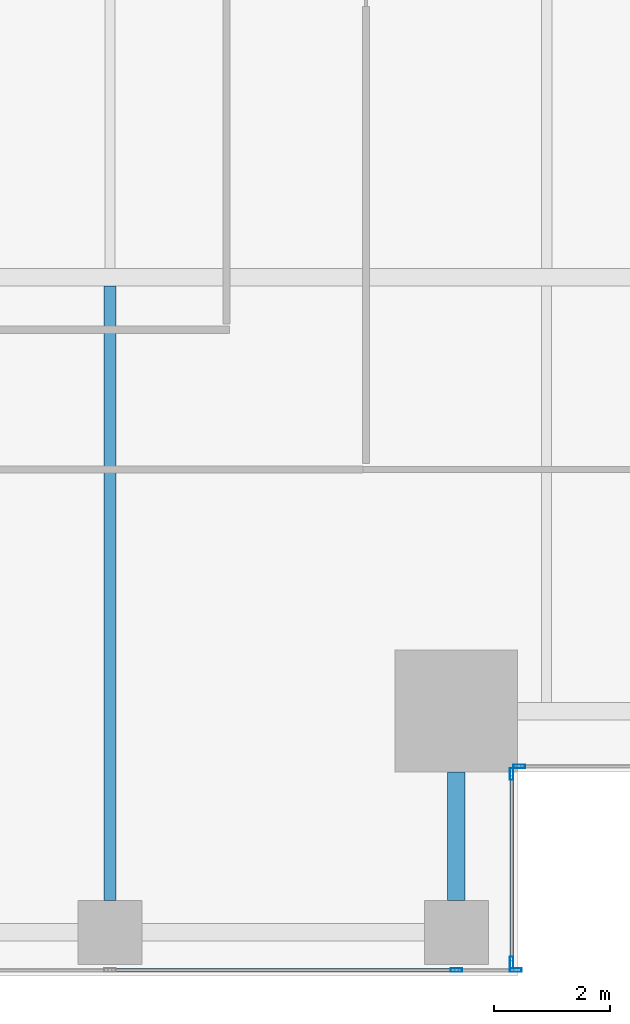
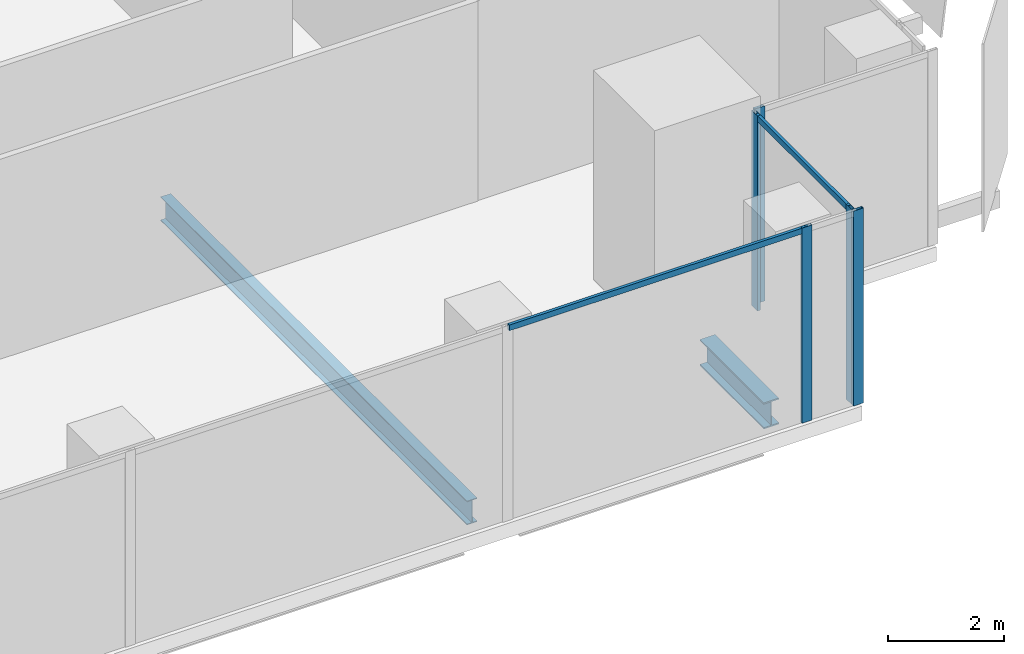
# One storey, part 10 of 33: 7 members, 2 beams, 3 elements without a shape of their own.
"""IFC4 building model written with IfcOpenShell, lengths in metres."""

import ifcopenshell
import ifcopenshell.guid

model = None  # the IFC model being written
_history = None  # IfcOwnerHistory: only IFC2X3 demands one
_inside = {}  # id of a spatial element -> (the spatial element, [elements in it])
_under = {}  # id of a project, library or spatial element -> (it, [spatial elements below it])
_declared = {}  # id of a project -> (the project, [libraries it declares])
_typed = {}  # id of a type object -> (the type object, [elements of that type])
_made_of = {}  # id of a material, layer set ... -> (it, [elements and type objects made of it])


def new_model(schema):
    """Start an empty IFC model of exactly this schema.

    Asked for "IFC4X3", IfcOpenShell would pick the latest addendum, in which some entities
    have other attributes; the version numbers below select the first issue.
    IFC2X3 requires an IfcOwnerHistory on every rooted entity: one is made here for all.
    """
    global model, _history
    if schema == "IFC4X3":
        model = ifcopenshell.file(schema_version=(4, 3, 0, 0))
    else:
        model = ifcopenshell.file(schema=schema)
    _inside.clear()
    _under.clear()
    _declared.clear()
    _typed.clear()
    _made_of.clear()
    _history = None
    if model.schema == "IFC2X3":
        org = make("IfcOrganization", Name="unknown")
        user = make(
            "IfcPersonAndOrganization",
            ThePerson=make("IfcPerson", FamilyName="unknown"),
            TheOrganization=org,
        )
        app = make(
            "IfcApplication",
            ApplicationDeveloper=org,
            Version="unknown",
            ApplicationFullName="unknown",
            ApplicationIdentifier="unknown",
        )
        _history = make(
            "IfcOwnerHistory",
            OwningUser=user,
            OwningApplication=app,
            ChangeAction="ADDED",
            CreationDate=0,
        )
    return model


def make(cls, **values):
    """One entity of the class cls with the attributes given. An attribute that is None is left unset."""
    return model.create_entity(
        cls, **{name: value for name, value in values.items() if value is not None}
    )


def rooted(cls, **values):
    """An entity with a GlobalId (a new one), such as an element, a storey or a relation."""
    return make(cls, GlobalId=ifcopenshell.guid.new(), OwnerHistory=_history, **values)


def si_unit(unit_type, name, prefix=None):
    """IfcSIUnit, for example si_unit("LENGTHUNIT", "METRE", prefix="MILLI")."""
    return make("IfcSIUnit", UnitType=unit_type, Prefix=prefix, Name=name)


def assignment(units):
    """IfcUnitAssignment: the units of a project."""
    return None if units is None else make("IfcUnitAssignment", Units=units)


def point(xyz):
    """IfcCartesianPoint."""
    return None if xyz is None else make("IfcCartesianPoint", Coordinates=xyz)


def direction(xyz):
    """IfcDirection."""
    return None if xyz is None else make("IfcDirection", DirectionRatios=xyz)


def frame(location, z_axis=None, x_axis=None):
    """IfcAxis2Placement3D, a coordinate frame: its origin and axes. An axis left out is left unset."""
    return make(
        "IfcAxis2Placement3D",
        Location=point(location),
        Axis=direction(z_axis),
        RefDirection=direction(x_axis),
    )


def frame_2d(location, x_axis=None):
    """IfcAxis2Placement2D, a coordinate frame in the plane: its origin and x axis."""
    return make(
        "IfcAxis2Placement2D", Location=point(location), RefDirection=direction(x_axis)
    )


def origin():
    """The frame at (0, 0, 0) with its axes left unset."""
    return frame((0.0, 0.0, 0.0))


def origin_2d():
    """The frame at (0, 0) in the plane with its x axis left unset."""
    return frame_2d((0.0, 0.0))


def place(relative_to, where):
    """IfcLocalPlacement: puts the frame where relative to a parent placement (None: the world)."""
    return make(
        "IfcLocalPlacement", PlacementRelTo=relative_to, RelativePlacement=where
    )


def context(
    kind, dimensions, precision=None, world=None, true_north=None, identifier=None
):
    """IfcGeometricRepresentationContext, for example the 3D "Model" context."""
    return make(
        "IfcGeometricRepresentationContext",
        ContextIdentifier=identifier,
        ContextType=kind,
        CoordinateSpaceDimension=dimensions,
        Precision=precision,
        WorldCoordinateSystem=world,
        TrueNorth=true_north,
    )


def subcontext(parent, identifier, kind, view, scale=None):
    """IfcGeometricRepresentationSubContext, for example "Body" below "Model"."""
    return make(
        "IfcGeometricRepresentationSubContext",
        ContextIdentifier=identifier,
        ContextType=kind,
        ParentContext=parent,
        TargetScale=scale,
        TargetView=view,
    )


def project(units=None, contexts=None):
    """IfcProject with its units and contexts."""
    return rooted(
        "IfcProject",
        Name="project",
        RepresentationContexts=contexts,
        UnitsInContext=assignment(units),
    )


def spatial(cls, under=None, at=None, **own):
    """A site, building, storey or space (cls), placed at a placement, below another one or the project."""
    s = rooted(cls, ObjectPlacement=at, **own)
    if under is not None:
        _under.setdefault(under.id(), (under, []))[1].append(s)
    return s


def profile(cls, at=None, kind="AREA", **sizes):
    """A parametric profile (cls). Its sizes go by their IFC names, for example OverallWidth=200.0."""
    return make(cls, ProfileType=kind, Position=at, **sizes)


def hollow_rectangle(**sizes):
    """IfcRectangleHollowProfileDef."""
    return profile("IfcRectangleHollowProfileDef", **sizes)


def i_section(**sizes):
    """IfcIShapeProfileDef."""
    return profile("IfcIShapeProfileDef", **sizes)


def extrude(swept, where, along, depth):
    """IfcExtrudedAreaSolid: the profile swept, set in the frame where, extruded along a direction by depth."""
    return make(
        "IfcExtrudedAreaSolid",
        SweptArea=swept,
        Position=where,
        ExtrudedDirection=direction(along),
        Depth=depth,
    )


def shape(context_of_items, identifier, shape_type, items):
    """IfcShapeRepresentation: the items that make up one representation, for example the "Body"."""
    return make(
        "IfcShapeRepresentation",
        ContextOfItems=context_of_items,
        RepresentationIdentifier=identifier,
        RepresentationType=shape_type,
        Items=items,
    )


def source(mapping_origin, context_of_items, identifier, shape_type, items):
    """IfcRepresentationMap: a shape defined once, which mapped items show again and again."""
    return make(
        "IfcRepresentationMap",
        MappingOrigin=mapping_origin,
        MappedRepresentation=shape(context_of_items, identifier, shape_type, items),
    )


def transform(
    local_origin,
    x_axis=None,
    y_axis=None,
    z_axis=None,
    scale=None,
    scale2=None,
    scale3=None,
    uniform=True,
):
    """IfcCartesianTransformationOperator3D, or its non-uniform kind. x_axis, y_axis, z_axis: its Axis1, 2, 3."""
    if uniform:
        return make(
            "IfcCartesianTransformationOperator3D",
            Axis1=direction(x_axis),
            Axis2=direction(y_axis),
            LocalOrigin=point(local_origin),
            Scale=scale,
            Axis3=direction(z_axis),
        )
    return make(
        "IfcCartesianTransformationOperator3DnonUniform",
        Axis1=direction(x_axis),
        Axis2=direction(y_axis),
        LocalOrigin=point(local_origin),
        Scale=scale,
        Axis3=direction(z_axis),
        Scale2=scale2,
        Scale3=scale3,
    )


def mapped(mapping_source, mapping_target):
    """IfcMappedItem: shows the shape of a source again, moved by a transform."""
    return make(
        "IfcMappedItem", MappingSource=mapping_source, MappingTarget=mapping_target
    )


def material(Name=None, Category=None):
    """IfcMaterial."""
    return make("IfcMaterial", Name=Name, Category=Category)


def material_profile(
    of_material, cross_section, Name=None, Category=None, Priority=None
):
    """IfcMaterialProfile: a cross section and its material."""
    return make(
        "IfcMaterialProfile",
        Name=Name,
        Material=of_material,
        Profile=cross_section,
        Priority=Priority,
        Category=Category,
    )


def profile_set(profiles, Name=None, composite=None):
    """IfcMaterialProfileSet."""
    return make(
        "IfcMaterialProfileSet",
        Name=Name,
        MaterialProfiles=profiles,
        CompositeProfile=composite,
    )


def made_of(thing, what):
    """Note that an element or type object is made of a material, layer set ...; save() writes the relation."""
    if what is not None:
        _made_of.setdefault(what.id(), (what, []))[1].append(thing)
    return thing


def type_object(cls, material=None, **own):
    """A type object (cls), such as IfcWallType, which elements share."""
    return made_of(rooted(cls, **own), material)


def element(
    cls,
    number,
    at=None,
    inside=None,
    cuts=None,
    type_object=None,
    material=None,
    context=None,
    identifier="Body",
    shape_type=None,
    held_by="IfcProductDefinitionShape",
    body=None,
    shapes=None,
    **own,
):
    """One element of the class cls, such as IfcWall. Its Tag is "e" and its number.

    at: its placement. inside: the storey or other place that contains it. cuts: it is an
    opening in that element (IfcRelVoidsElement). A single representation is given by context,
    identifier, shape_type and body (its items); several are given by shapes. held_by: the class
    of the entity that holds the representations. save() writes the other relations.
    """
    e = rooted(cls, Tag="e%d" % number, ObjectPlacement=at, **own)
    if body is not None:
        shapes = [shape(context, identifier, shape_type, body)]
    if shapes is not None:
        e.Representation = make(held_by, Representations=shapes)
    if inside is not None:
        _inside.setdefault(inside.id(), (inside, []))[1].append(e)
    if cuts is not None:
        rooted(
            "IfcRelVoidsElement", RelatingBuildingElement=cuts, RelatedOpeningElement=e
        )
    if type_object is not None:
        _typed.setdefault(type_object.id(), (type_object, []))[1].append(e)
    return made_of(e, material)


def aggregate(whole, parts):
    """IfcRelAggregates: a whole, such as a stair, and the parts it consists of."""
    return rooted("IfcRelAggregates", RelatingObject=whole, RelatedObjects=parts)


def save(model, path):
    """Write the relations noted so far, then the file.

    IfcRelAggregates (storeys below a building ...), IfcRelContainedInSpatialStructure (elements
    in a storey), IfcRelDefinesByType, IfcRelAssociatesMaterial and IfcRelDeclares: one each for
    every whole, place, type object, material and project.
    """
    for whole, parts in _under.values():
        aggregate(whole, parts)
    for where, things in _inside.values():
        rooted(
            "IfcRelContainedInSpatialStructure",
            RelatedElements=things,
            RelatingStructure=where,
        )
    for kind, things in _typed.values():
        rooted("IfcRelDefinesByType", RelatedObjects=things, RelatingType=kind)
    for what, things in _made_of.values():
        rooted("IfcRelAssociatesMaterial", RelatedObjects=things, RelatingMaterial=what)
    for by, libraries in _declared.values():
        rooted("IfcRelDeclares", RelatingContext=by, RelatedDefinitions=libraries)
    model.write(path)


model = new_model("IFC4")

# Units and contexts
model_context = context("Model", 3, precision=1e-05, world=origin(), true_north=direction((0.0, 1.0)))
body_context = subcontext(model_context, "Body", "Model", "MODEL_VIEW")
ifc_project = project(units=[si_unit("LENGTHUNIT", "METRE"), si_unit("AREAUNIT", "SQUARE_METRE"), si_unit("VOLUMEUNIT", "CUBIC_METRE"), si_unit("PLANEANGLEUNIT", "RADIAN"), si_unit("MASSUNIT", "GRAM", prefix="KILO")], contexts=[model_context])

# Site, building, storey
site_placement = place(None, origin())
site = spatial("IfcSite", under=ifc_project, at=site_placement, CompositionType="ELEMENT")
building_placement = place(site_placement, origin())
building = spatial("IfcBuilding", under=site, at=building_placement, Name="Khomas Fold Tower", CompositionType="ELEMENT")
storey_placement = place(building_placement, frame((0.0, 0.0, 149.89990234375)))
storey = spatial("IfcBuildingStorey", under=building, at=storey_placement, Name="L32", CompositionType="ELEMENT", Elevation=149.89990234375)

# Beams
ifc_material_1 = material(Name="Steel S355", Category="steel")
ifc_material_profile_1 = material_profile(ifc_material_1, i_section(OverallWidth=0.300048828125, OverallDepth=0.550048828125, WebThickness=0.014892578125, FlangeThickness=0.029052734375, at=origin_2d()), Name="HE 550 B")
ifc_profile_set_1 = profile_set([ifc_material_profile_1], Name="Steel S355")
beam_type_1 = type_object("IfcBeamType", Name="HE 550 B spandrel SB2", PredefinedType="SPANDREL", material=ifc_profile_set_1)
shared_shape_1 = source(origin(), body_context, "Body", "SweptSolid", [
    extrude(i_section(OverallWidth=0.300048828125, OverallDepth=0.550048828125, WebThickness=0.014892578125, FlangeThickness=0.029052734375, at=origin_2d()), origin(), (0.0, 0.0, 1.0), 2.199951171875),
])
beam_1_placement = place(storey_placement, frame((47.949951171875, 2.800048828125, -0.574951171875), z_axis=(0.0, 1.0, 0.0), x_axis=(-1.0, 0.0, 0.0)))
element("IfcBeam", 1, at=beam_1_placement, inside=storey, type_object=beam_type_1, Name="SB2", PredefinedType="SPANDREL", context=body_context, shape_type="MappedRepresentation", body=[
    mapped(shared_shape_1, transform((0.0, 0.0, 0.0))),
])
ifc_material_2 = material(Name="Steel S355", Category="steel")
ifc_material_profile_2 = material_profile(ifc_material_2, i_section(OverallWidth=0.199951171875, OverallDepth=0.5, WebThickness=0.01025390625, FlangeThickness=0.01611328125, at=origin_2d()), Name="IPE 500")
ifc_profile_set_2 = profile_set([ifc_material_profile_2], Name="Steel S355")
beam_type_2 = type_object("IfcBeamType", Name="IPE 500 beam JB5", PredefinedType="BEAM", material=ifc_profile_set_2)
shared_shape_2 = source(origin(), body_context, "Body", "SweptSolid", [
    extrude(i_section(OverallWidth=0.199951171875, OverallDepth=0.5, WebThickness=0.01025390625, FlangeThickness=0.01611328125, at=origin_2d()), origin(), (0.0, 0.0, 1.0), 10.550048828125),
])
beam_2_placement = place(storey_placement, frame((42.0, 2.800048828125, -0.5498046875), z_axis=(0.0, 1.0, 0.0), x_axis=(-1.0, 0.0, 0.0)))
element("IfcBeam", 2, at=beam_2_placement, inside=storey, type_object=beam_type_2, Name="JB5", PredefinedType="BEAM", context=body_context, shape_type="MappedRepresentation", body=[
    mapped(shared_shape_2, transform((0.0, 0.0, 0.0))),
])

# Curtain wall, members
ifc_material_3 = material(Name="Aluminium framed double glazing", Category="aluminium")
curtain_wall_type = type_object("IfcCurtainWallType", Name="SK-Unitised clear-glass wall, growing floors CW1", PredefinedType="NOTDEFINED", material=ifc_material_3)
curtain_wall_1_placement = place(storey_placement, origin())
curtain_wall_1 = element("IfcCurtainWall", 3, at=curtain_wall_1_placement, inside=storey, type_object=curtain_wall_type, Name="CW1 run L32 00-0", PredefinedType="NOTDEFINED")
ifc_material_4 = material(Name="Aluminium", Category="aluminium")
ifc_material_profile_3 = material_profile(ifc_material_4, hollow_rectangle(XDim=0.06005859375, YDim=0.199951171875, WallThickness=0.00390625, at=origin_2d()), Name="SK-Unitised clear-glass wall, growing floors mullion CW1-M")
ifc_profile_set_3 = profile_set([ifc_material_profile_3], Name="Aluminium")
member_type_1 = type_object("IfcMemberType", Name="SK-Unitised clear-glass wall, growing floors mullion CW1-M", PredefinedType="MULLION", material=ifc_profile_set_3)
shared_shape_3 = source(origin(), body_context, "Body", "SweptSolid", [
    extrude(hollow_rectangle(XDim=0.06005859375, YDim=0.199951171875, WallThickness=0.00390625, at=origin_2d()), origin(), (0.0, 0.0, 1.0), 4.10009765625),
])
member_1_placement = place(storey_placement, frame((47.949951171875, 1.60009765625, 0.0), z_axis=(0.0, 0.0, 1.0), x_axis=(0.0, 1.0, 0.0)))
member_1 = element("IfcMember", 4, at=member_1_placement, type_object=member_type_1, Name="CW1 mullion 8", PredefinedType="MULLION", context=body_context, shape_type="MappedRepresentation", body=[
    mapped(shared_shape_3, transform((0.0, 0.0, 0.0))),
])
member_2_placement = place(storey_placement, frame((48.969970703125, 1.60009765625, 0.0), z_axis=(0.0, 0.0, 1.0), x_axis=(0.0, 1.0, 0.0)))
member_2 = element("IfcMember", 5, at=member_2_placement, type_object=member_type_1, Name="CW1 mullion 9", PredefinedType="MULLION", context=body_context, shape_type="MappedRepresentation", body=[
    mapped(shared_shape_3, transform((0.0, 0.0, 0.0))),
])

curtain_wall_2_placement = place(storey_placement, origin())
curtain_wall_2 = element("IfcCurtainWall", 6, at=curtain_wall_2_placement, inside=storey, type_object=curtain_wall_type, Name="CW1 corner return L32 01", PredefinedType="NOTDEFINED")
member_3_placement = place(storey_placement, frame((48.89990234375, 1.72998046875, 0.0), z_axis=(0.0, 0.0, 1.0), x_axis=(-1.0, 0.0, 0.0)))
member_3 = element("IfcMember", 7, at=member_3_placement, type_object=member_type_1, Name="CW1 mullion 1", PredefinedType="MULLION", context=body_context, shape_type="MappedRepresentation", body=[
    mapped(shared_shape_3, transform((0.0, 0.0, 0.0))),
])
member_4_placement = place(storey_placement, frame((48.89990234375, 4.969970703125, 0.0), z_axis=(0.0, 0.0, 1.0), x_axis=(-1.0, 0.0, 0.0)))
member_4 = element("IfcMember", 8, at=member_4_placement, type_object=member_type_1, Name="CW1 mullion 2", PredefinedType="MULLION", context=body_context, shape_type="MappedRepresentation", body=[
    mapped(shared_shape_3, transform((0.0, 0.0, 0.0))),
])

# Curtain wall, member
curtain_wall_3_placement = place(storey_placement, origin())
curtain_wall_3 = element("IfcCurtainWall", 9, at=curtain_wall_3_placement, inside=storey, type_object=curtain_wall_type, Name="CW1 corner return L32 02", PredefinedType="NOTDEFINED")
member_5_placement = place(storey_placement, frame((49.030029296875, 5.10009765625, 0.0), z_axis=(0.0, 0.0, 1.0), x_axis=(0.0, 1.0, 0.0)))
member_5 = element("IfcMember", 10, at=member_5_placement, type_object=member_type_1, Name="CW1 mullion 1", PredefinedType="MULLION", context=body_context, shape_type="MappedRepresentation", body=[
    mapped(shared_shape_3, transform((0.0, 0.0, 0.0))),
])
aggregate(curtain_wall_3, [member_5])

# Member
ifc_material_5 = material(Name="Aluminium", Category="aluminium")
ifc_material_profile_4 = material_profile(ifc_material_5, hollow_rectangle(XDim=0.06005859375, YDim=0.1201171875, WallThickness=0.00390625, at=origin_2d()), Name="SK-Unitised clear-glass wall, growing floors transom CW1-T")
ifc_profile_set_4 = profile_set([ifc_material_profile_4], Name="Aluminium")
member_type_2 = type_object("IfcMemberType", Name="SK-Unitised clear-glass wall, growing floors transom CW1-T", PredefinedType="USERDEFINED", material=ifc_profile_set_4)
shared_shape_4 = source(origin(), body_context, "Body", "SweptSolid", [
    extrude(hollow_rectangle(XDim=0.06005859375, YDim=0.1201171875, WallThickness=0.00390625, at=origin_2d()), origin(), (0.0, 0.0, 1.0), 5.889892578125),
])
member_6_placement = place(storey_placement, frame((42.030029296875, 1.60009765625, 4.0400390625), z_axis=(1.0, 0.0, 0.0), x_axis=(0.0, 1.0, 0.0)))
member_6 = element("IfcMember", 11, at=member_6_placement, type_object=member_type_2, Name="CW1 transom 7", ObjectType="TRANSOM", PredefinedType="USERDEFINED", context=body_context, shape_type="MappedRepresentation", body=[
    mapped(shared_shape_4, transform((0.0, 0.0, 0.0))),
])

aggregate(curtain_wall_1, [member_1, member_2, member_6])

shared_shape_5 = source(origin(), body_context, "Body", "SweptSolid", [
    extrude(hollow_rectangle(XDim=0.06005859375, YDim=0.1201171875, WallThickness=0.00390625, at=origin_2d()), origin(), (0.0, 0.0, 1.0), 3.179931640625),
])
member_7_placement = place(storey_placement, frame((48.89990234375, 1.760009765625, 4.0400390625), z_axis=(0.0, 1.0, 0.0), x_axis=(-1.0, 0.0, 0.0)))
member_7 = element("IfcMember", 12, at=member_7_placement, type_object=member_type_2, Name="CW1 transom 1", ObjectType="TRANSOM", PredefinedType="USERDEFINED", context=body_context, shape_type="MappedRepresentation", body=[
    mapped(shared_shape_5, transform((0.0, 0.0, 0.0))),
])

aggregate(curtain_wall_2, [member_3, member_4, member_7])

save(model, "model.ifc")
